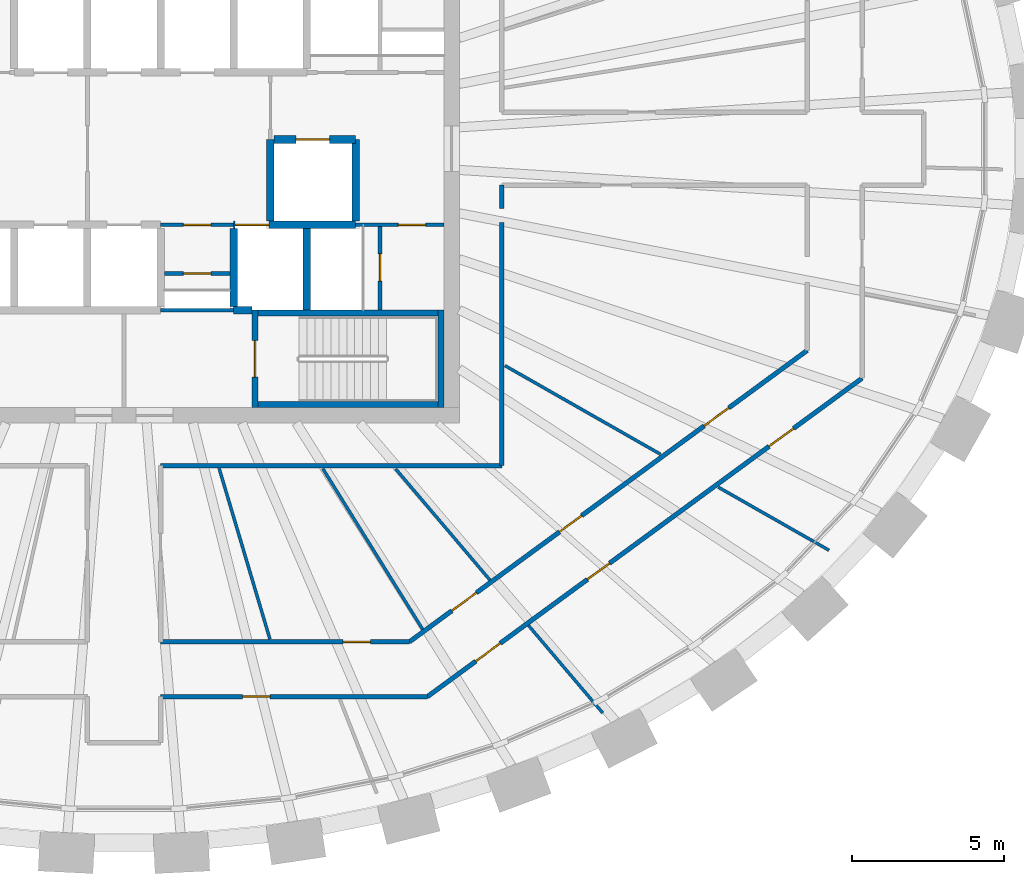
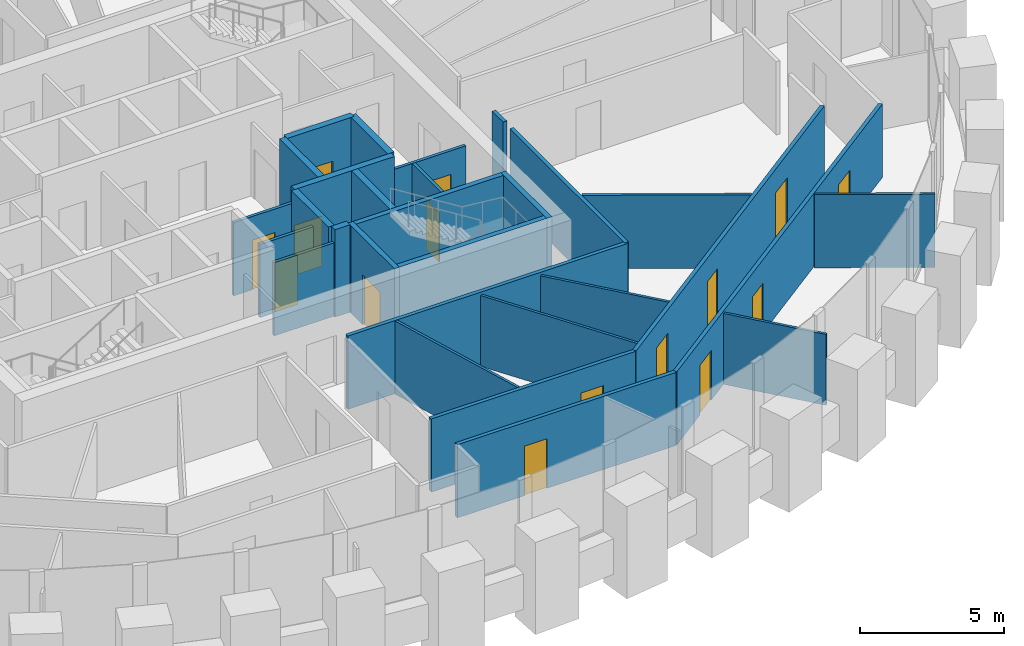
# One storey, part 8 of 12: 29 walls, 15 doors, 15 openings.
"""IFC4 building model written with IfcOpenShell, lengths in metres."""

from ifc_helpers import new_model, si_unit, direction, frame, frame_2d, origin, place, context, subcontext, project, spatial, rectangle, extrude, source, transform, mapped, material, layer, layer_set, type_object, element, fill, save


model = new_model("IFC4")

# Units and contexts
model_context = context("Model", 3, precision=1e-05, world=origin(), true_north=direction((0.0, 1.0)))
body_context = subcontext(model_context, "Body", "Model", "MODEL_VIEW")
ifc_project = project(units=[si_unit("LENGTHUNIT", "METRE"), si_unit("AREAUNIT", "SQUARE_METRE"), si_unit("VOLUMEUNIT", "CUBIC_METRE"), si_unit("PLANEANGLEUNIT", "RADIAN"), si_unit("MASSUNIT", "GRAM", prefix="KILO")], contexts=[model_context])

# Site, building, storey
site_placement = place(None, origin())
site = spatial("IfcSite", under=ifc_project, at=site_placement, CompositionType="ELEMENT")
building_placement = place(site_placement, origin())
building = spatial("IfcBuilding", under=site, at=building_placement, Name="Embergate Tower", CompositionType="ELEMENT")
storey_placement = place(building_placement, frame((0.0, 0.0, 320.800048828125)))
storey = spatial("IfcBuildingStorey", under=building, at=storey_placement, Name="L75", CompositionType="ELEMENT", Elevation=320.800048828125)

# Walls
ifc_material_1 = material(Name="Concrete C50", Category="concrete")
ifc_layer_1 = layer(ifc_material_1, 0.25)
ifc_layer_set_1 = layer_set([ifc_layer_1], Name="Concrete C50")
wall_type_1 = type_object("IfcWallType", Name="Hoistway wall reinforced concrete 250", PredefinedType="SHEAR", material=ifc_layer_set_1)
shared_shape_1 = source(origin(), body_context, "Body", "SweptSolid", [
    extrude(rectangle(XDim=2.675048828125, YDim=0.25, at=frame_2d((1.33740234375, 0.0))), origin(), (0.0, 0.0, 1.0), 3.699951171875),
])
for number, where, z_axis, x_axis, name in (
    (1, (6.0, -5.300048828125, 0.0), (0.0, 0.0, 1.0), (0.0, 1.0, 0.0), "HW-1 wall"),
    (2, (4.800048828125, -2.375, 0.0), (0.0, 0.0, 1.0), (0.0, 1.0, 0.0), "HW-1 wall"),
):
    element("IfcWall", number, at=place(storey_placement, frame(where, z_axis=z_axis, x_axis=x_axis)), inside=storey, type_object=wall_type_1, Name=name, PredefinedType="SHEAR", context=body_context, shape_type="MappedRepresentation", body=[
        mapped(shared_shape_1, transform((0.0, 0.0, 0.0))),
    ])

# Wall, opening, door
wall_1_placement = place(storey_placement, frame((7.60009765625, 0.300048828125, 0.0), z_axis=(0.0, 0.0, 1.0), x_axis=(-1.0, 0.0, 0.0)))
wall_1 = element("IfcWall", 3, at=wall_1_placement, inside=storey, type_object=wall_type_1, Name="HW-1 wall", PredefinedType="SHEAR", context=body_context, shape_type="MappedRepresentation", body=[
    mapped(shared_shape_1, transform((0.0, 0.0, 0.0))),
])
shared_shape_2 = source(origin(), body_context, "Body", "SweptSolid", [
    extrude(rectangle(XDim=1.10009765625, YDim=2.10009765625, at=frame_2d((0.550048828125, 1.050048828125))), frame((0.0, 0.135009765625, 0.0), z_axis=(0.0, -1.0, 0.0), x_axis=(1.0, 0.0, 0.0)), (0.0, 0.0, 1.0), 0.27001953125),
])
opening_1_placement = place(wall_1_placement, frame((0.85009765625, 0.0, 0.0)))
opening_1 = element("IfcOpeningElement", 4, at=opening_1_placement, cuts=wall_1, Name="Opening LD", PredefinedType="OPENING", context=body_context, shape_type="MappedRepresentation", body=[
    mapped(shared_shape_2, transform((0.0, 0.0, 0.0))),
])
ifc_material_2 = material(Name="Landing door sliding 1100")
door_type_1 = type_object("IfcDoorType", Name="Landing door sliding 1100", OperationType="SLIDING_TO_LEFT", PredefinedType="DOOR", material=ifc_material_2)
shared_shape_3 = source(origin(), body_context, "Body", "SweptSolid", [
    extrude(rectangle(XDim=1.10009765625, YDim=2.10009765625, at=frame_2d((0.550048828125, 1.050048828125))), frame((0.0, 0.02490234375, 0.0), z_axis=(0.0, -1.0, 0.0), x_axis=(1.0, 0.0, 0.0)), (0.0, 0.0, 1.0), 0.050048828125),
])
door_1_placement = place(opening_1_placement, origin())
door_1 = element("IfcDoor", 5, at=door_1_placement, inside=storey, type_object=door_type_1, Name="LD door", OperationType="SLIDING_TO_LEFT", OverallHeight=2.10009765625, OverallWidth=1.10009765625, PredefinedType="DOOR", context=body_context, shape_type="MappedRepresentation", body=[
    mapped(shared_shape_3, transform((0.0, 0.0, 0.0))),
])
fill(opening_1, door_1)

# Walls
wall_2_placement = place(storey_placement, frame((7.60009765625, -2.375, 0.0), z_axis=(0.0, 0.0, 1.0), x_axis=(0.0, 1.0, 0.0)))
element("IfcWall", 6, at=wall_2_placement, inside=storey, type_object=wall_type_1, Name="HW-1 wall", PredefinedType="SHEAR", context=body_context, shape_type="MappedRepresentation", body=[
    mapped(shared_shape_1, transform((0.0, 0.0, 0.0))),
])
ifc_layer_2 = layer(ifc_material_1, 0.199951171875)
ifc_layer_set_2 = layer_set([ifc_layer_2], Name="Concrete C50")
wall_type_2 = type_object("IfcWallType", Name="Stair enclosure wall reinforced concrete 250", PredefinedType="SHEAR", material=ifc_layer_set_2)
shared_shape_4 = source(origin(), body_context, "Body", "SweptSolid", [
    extrude(rectangle(XDim=6.300048828125, YDim=0.199951171875, at=frame_2d((3.14990234375, 0.0))), origin(), (0.0, 0.0, 1.0), 3.699951171875),
])
wall_3_placement = place(storey_placement, frame((4.199951171875, -5.39990234375, 0.0), z_axis=(0.0, 0.0, 1.0), x_axis=(1.0, 0.0, 0.0)))
element("IfcWall", 7, at=wall_3_placement, inside=storey, type_object=wall_type_2, Name="SE-1 wall", PredefinedType="SHEAR", context=body_context, shape_type="MappedRepresentation", body=[
    mapped(shared_shape_4, transform((0.0, 0.0, 0.0))),
])
shared_shape_5 = source(origin(), body_context, "Body", "SweptSolid", [
    extrude(rectangle(XDim=2.550048828125, YDim=0.25, at=frame_2d((1.27490234375, 0.0))), origin(), (0.0, 0.0, 1.0), 3.699951171875),
])
wall_4_placement = place(storey_placement, frame((3.60009765625, -2.625, 0.0), z_axis=(0.0, 0.0, 1.0), x_axis=(0.0, -1.0, 0.0)))
element("IfcWall", 8, at=wall_4_placement, inside=storey, type_object=wall_type_1, Name="HW-1 wall", PredefinedType="SHEAR", context=body_context, shape_type="MappedRepresentation", body=[
    mapped(shared_shape_5, transform((0.0, 0.0, 0.0))),
])

# Wall, opening, door
shared_shape_6 = source(origin(), body_context, "Body", "SweptSolid", [
    extrude(rectangle(XDim=3.199951171875, YDim=0.199951171875, at=frame_2d((1.60009765625, 0.0))), origin(), (0.0, 0.0, 1.0), 3.699951171875),
])
wall_5_placement = place(storey_placement, frame((4.300048828125, -5.300048828125, 0.0), z_axis=(0.0, 0.0, 1.0), x_axis=(0.0, -1.0, 0.0)))
wall_5 = element("IfcWall", 9, at=wall_5_placement, inside=storey, type_object=wall_type_2, Name="SE-1 wall", PredefinedType="SHEAR", context=body_context, shape_type="MappedRepresentation", body=[
    mapped(shared_shape_6, transform((0.0, 0.0, 0.0))),
])
shared_shape_7 = source(origin(), body_context, "Body", "SweptSolid", [
    extrude(rectangle(XDim=1.199951171875, YDim=2.10009765625, at=frame_2d((0.60009765625, 1.050048828125))), frame((0.0, 0.10986328125, 0.0), z_axis=(0.0, -1.0, 0.0), x_axis=(1.0, 0.0, 0.0)), (0.0, 0.0, 1.0), 0.219970703125),
])
opening_2_placement = place(wall_5_placement, frame((1.0, 0.0, 0.0)))
opening_2 = element("IfcOpeningElement", 10, at=opening_2_placement, cuts=wall_5, Name="Opening IF-2", PredefinedType="OPENING", context=body_context, shape_type="MappedRepresentation", body=[
    mapped(shared_shape_7, transform((0.0, 0.0, 0.0))),
])
ifc_material_3 = material(Name="Stair enclosure door 1200")
door_type_2 = type_object("IfcDoorType", Name="Stair enclosure door 1200", OperationType="SINGLE_SWING_LEFT", PredefinedType="DOOR", material=ifc_material_3)
shared_shape_8 = source(origin(), body_context, "Body", "SweptSolid", [
    extrude(rectangle(XDim=1.199951171875, YDim=2.10009765625, at=frame_2d((0.60009765625, 1.050048828125))), frame((0.0, 0.02490234375, 0.0), z_axis=(0.0, -1.0, 0.0), x_axis=(1.0, 0.0, 0.0)), (0.0, 0.0, 1.0), 0.050048828125),
])
door_2_placement = place(opening_2_placement, origin())
door_2 = element("IfcDoor", 11, at=door_2_placement, inside=storey, type_object=door_type_2, Name="IF-2 door", OperationType="SINGLE_SWING_LEFT", OverallHeight=2.10009765625, OverallWidth=1.199951171875, PredefinedType="DOOR", context=body_context, shape_type="MappedRepresentation", body=[
    mapped(shared_shape_8, transform((0.0, 0.0, 0.0))),
])
fill(opening_2, door_2)

ifc_material_4 = material(Name="Core partition blockwork 120")
ifc_layer_3 = layer(ifc_material_4, 0.1201171875)
ifc_layer_set_3 = layer_set([ifc_layer_3], Name="Core partition blockwork 120")
wall_type_3 = type_object("IfcWallType", Name="Core partition blockwork 120", PredefinedType="PARTITIONING", material=ifc_layer_set_3)
shared_shape_9 = source(origin(), body_context, "Body", "SweptSolid", [
    extrude(rectangle(XDim=2.739990234375, YDim=0.1201171875, at=frame_2d((1.3701171875, 0.0))), origin(), (0.0, 0.0, 1.0), 3.099853515625),
])
wall_6_placement = place(storey_placement, frame((8.39990234375, -5.300048828125, 0.0), z_axis=(0.0, 0.0, 1.0), x_axis=(0.0, 1.0, 0.0)))
wall_6 = element("IfcWall", 12, at=wall_6_placement, inside=storey, type_object=wall_type_3, Name="IP-3 wall", PredefinedType="PARTITIONING", context=body_context, shape_type="MappedRepresentation", body=[
    mapped(shared_shape_9, transform((0.0, 0.0, 0.0))),
])
shared_shape_10 = source(origin(), body_context, "Body", "SweptSolid", [
    extrude(rectangle(XDim=0.89990234375, YDim=2.10009765625, at=frame_2d((0.449951171875, 1.050048828125))), frame((0.0, 0.070068359375, 0.0), z_axis=(0.0, -1.0, 0.0), x_axis=(1.0, 0.0, 0.0)), (0.0, 0.0, 1.0), 0.14013671875),
])
opening_3_placement = place(wall_6_placement, frame((0.949951171875, 0.0, 0.0)))
opening_3 = element("IfcOpeningElement", 13, at=opening_3_placement, cuts=wall_6, Name="Opening ID-1", PredefinedType="OPENING", context=body_context, shape_type="MappedRepresentation", body=[
    mapped(shared_shape_10, transform((0.0, 0.0, 0.0))),
])
ifc_material_5 = material(Name="Interior door 900")
door_type_3 = type_object("IfcDoorType", Name="Interior door 900", OperationType="SINGLE_SWING_LEFT", PredefinedType="DOOR", material=ifc_material_5)
shared_shape_11 = source(origin(), body_context, "Body", "SweptSolid", [
    extrude(rectangle(XDim=0.89990234375, YDim=2.10009765625, at=frame_2d((0.449951171875, 1.050048828125))), frame((0.0, 0.02490234375, 0.0), z_axis=(0.0, -1.0, 0.0), x_axis=(1.0, 0.0, 0.0)), (0.0, 0.0, 1.0), 0.050048828125),
])
door_3_placement = place(opening_3_placement, origin())
door_3 = element("IfcDoor", 14, at=door_3_placement, inside=storey, type_object=door_type_3, Name="ID-1 door", OperationType="SINGLE_SWING_LEFT", OverallHeight=2.10009765625, OverallWidth=0.89990234375, PredefinedType="DOOR", context=body_context, shape_type="MappedRepresentation", body=[
    mapped(shared_shape_11, transform((0.0, 0.0, 0.0))),
])
fill(opening_3, door_3)

# Walls
shared_shape_12 = source(origin(), body_context, "Body", "SweptSolid", [
    extrude(rectangle(XDim=0.599853515625, YDim=0.25, at=frame_2d((0.2998046875, 0.0))), origin(), (0.0, 0.0, 1.0), 3.699951171875),
])
wall_7_placement = place(storey_placement, frame((3.60009765625, -5.300048828125, 0.0), z_axis=(0.0, 0.0, 1.0), x_axis=(1.0, 0.0, 0.0)))
element("IfcWall", 15, at=wall_7_placement, inside=storey, type_object=wall_type_1, Name="HW-1 wall", PredefinedType="SHEAR", context=body_context, shape_type="MappedRepresentation", body=[
    mapped(shared_shape_12, transform((0.0, 0.0, 0.0))),
])
ifc_material_6 = material(Name="Corridor wall dry-lined 150")
ifc_layer_4 = layer(ifc_material_6, 0.14990234375)
ifc_layer_set_4 = layer_set([ifc_layer_4], Name="Corridor wall dry-lined 150")
wall_type_4 = type_object("IfcWallType", Name="Corridor wall dry-lined 150", PredefinedType="PARTITIONING", material=ifc_layer_set_4)
shared_shape_13 = source(origin(), body_context, "Body", "SweptSolid", [
    extrude(rectangle(XDim=11.199951171875, YDim=0.14990234375, at=frame_2d((5.60009765625, 0.0))), origin(), (0.0, 0.0, 1.0), 3.099853515625),
])
wall_8_placement = place(storey_placement, frame((12.39990234375, -10.39990234375, 0.0), z_axis=(0.0, 0.0, 1.0), x_axis=(-1.0, 0.0, 0.0)))
element("IfcWall", 16, at=wall_8_placement, inside=storey, type_object=wall_type_4, Name="IP-2 wall", PredefinedType="PARTITIONING", context=body_context, shape_type="MappedRepresentation", body=[
    mapped(shared_shape_13, transform((0.0, 0.0, 0.0))),
])

# Wall, opening, door
shared_shape_14 = source(origin(), body_context, "Body", "SweptSolid", [
    extrude(rectangle(XDim=2.89990234375, YDim=0.1201171875, at=frame_2d((1.449951171875, 0.0))), origin(), (0.0, 0.0, 1.0), 3.099853515625),
])
wall_9_placement = place(storey_placement, frame((10.5, -2.5, 0.0), z_axis=(0.0, 0.0, 1.0), x_axis=(-1.0, 0.0, 0.0)))
wall_9 = element("IfcWall", 17, at=wall_9_placement, inside=storey, type_object=wall_type_3, Name="IP-3 wall", PredefinedType="PARTITIONING", context=body_context, shape_type="MappedRepresentation", body=[
    mapped(shared_shape_14, transform((0.0, 0.0, 0.0))),
])
opening_4_placement = place(wall_9_placement, frame((0.60009765625, 0.0, 0.0)))
opening_4 = element("IfcOpeningElement", 18, at=opening_4_placement, cuts=wall_9, Name="Opening ID-1", PredefinedType="OPENING", context=body_context, shape_type="MappedRepresentation", body=[
    mapped(shared_shape_10, transform((0.0, 0.0, 0.0))),
])
door_4_placement = place(opening_4_placement, origin())
door_4 = element("IfcDoor", 19, at=door_4_placement, inside=storey, type_object=door_type_3, Name="ID-1 door", OperationType="SINGLE_SWING_LEFT", OverallHeight=2.10009765625, OverallWidth=0.89990234375, PredefinedType="DOOR", context=body_context, shape_type="MappedRepresentation", body=[
    mapped(shared_shape_11, transform((0.0, 0.0, 0.0))),
])
fill(opening_4, door_4)

shared_shape_15 = source(origin(), body_context, "Body", "SweptSolid", [
    extrude(rectangle(XDim=4.0, YDim=0.25, at=frame_2d((2.0, 0.0))), origin(), (0.0, 0.0, 1.0), 3.699951171875),
])
wall_10_placement = place(storey_placement, frame((7.60009765625, -2.5, 0.0), z_axis=(0.0, 0.0, 1.0), x_axis=(-1.0, 0.0, 0.0)))
wall_10 = element("IfcWall", 20, at=wall_10_placement, inside=storey, type_object=wall_type_1, Name="HW-1 wall", PredefinedType="SHEAR", context=body_context, shape_type="MappedRepresentation", body=[
    mapped(shared_shape_15, transform((0.0, 0.0, 0.0))),
])
opening_5_placement = place(wall_10_placement, frame((2.85009765625, 0.0, 0.0)))
opening_5 = element("IfcOpeningElement", 21, at=opening_5_placement, cuts=wall_10, Name="Opening LD", PredefinedType="OPENING", context=body_context, shape_type="MappedRepresentation", body=[
    mapped(shared_shape_2, transform((0.0, 0.0, 0.0))),
])
door_5_placement = place(opening_5_placement, origin())
door_5 = element("IfcDoor", 22, at=door_5_placement, inside=storey, type_object=door_type_1, Name="LD door", OperationType="SLIDING_TO_RIGHT", OverallHeight=2.10009765625, OverallWidth=1.10009765625, PredefinedType="DOOR", context=body_context, shape_type="MappedRepresentation", body=[
    mapped(shared_shape_3, transform((0.0, 0.0, 0.0))),
])
fill(opening_5, door_5)

shared_shape_16 = source(origin(), body_context, "Body", "SweptSolid", [
    extrude(rectangle(XDim=2.400146484375, YDim=0.1201171875, at=frame_2d((1.2001953125, 0.0))), origin(), (0.0, 0.0, 1.0), 3.099853515625),
])
wall_11_placement = place(storey_placement, frame((1.199951171875, -2.5, 0.0), z_axis=(0.0, 0.0, 1.0), x_axis=(1.0, 0.0, 0.0)))
wall_11 = element("IfcWall", 23, at=wall_11_placement, inside=storey, type_object=wall_type_3, Name="IP-3 wall", PredefinedType="PARTITIONING", context=body_context, shape_type="MappedRepresentation", body=[
    mapped(shared_shape_16, transform((0.0, 0.0, 0.0))),
])
opening_6_placement = place(wall_11_placement, frame((0.75, 0.0, 0.0)))
opening_6 = element("IfcOpeningElement", 24, at=opening_6_placement, cuts=wall_11, Name="Opening ID-1", PredefinedType="OPENING", context=body_context, shape_type="MappedRepresentation", body=[
    mapped(shared_shape_10, transform((0.0, 0.0, 0.0))),
])
door_6_placement = place(opening_6_placement, origin())
door_6 = element("IfcDoor", 25, at=door_6_placement, inside=storey, type_object=door_type_3, Name="ID-1 door", OperationType="SINGLE_SWING_RIGHT", OverallHeight=2.10009765625, OverallWidth=0.89990234375, PredefinedType="DOOR", context=body_context, shape_type="MappedRepresentation", body=[
    mapped(shared_shape_11, transform((0.0, 0.0, 0.0))),
])
fill(opening_6, door_6)

# Wall
wall_12_placement = place(storey_placement, frame((3.60009765625, -5.300048828125, 0.0), z_axis=(0.0, 0.0, 1.0), x_axis=(-1.0, 0.0, 0.0)))
element("IfcWall", 26, at=wall_12_placement, inside=storey, type_object=wall_type_3, Name="IP-3 wall", PredefinedType="PARTITIONING", context=body_context, shape_type="MappedRepresentation", body=[
    mapped(shared_shape_16, transform((0.0, 0.0, 0.0))),
])

# Wall, opening, door
shared_shape_17 = source(origin(), body_context, "Body", "SweptSolid", [
    extrude(rectangle(XDim=2.150146484375, YDim=0.1201171875, at=frame_2d((1.0751953125, 0.0))), origin(), (0.0, 0.0, 1.0), 3.099853515625),
])
wall_13_placement = place(storey_placement, frame((3.47509765625, -4.095947265625, 0.0), z_axis=(0.0, 0.0, 1.0), x_axis=(-1.0, 0.0, 0.0)))
wall_13 = element("IfcWall", 27, at=wall_13_placement, inside=storey, type_object=wall_type_3, Name="IP-3 wall", PredefinedType="PARTITIONING", context=body_context, shape_type="MappedRepresentation", body=[
    mapped(shared_shape_17, transform((0.0, 0.0, 0.0))),
])
opening_7_placement = place(wall_13_placement, frame((0.625, 0.0, 0.0)))
opening_7 = element("IfcOpeningElement", 28, at=opening_7_placement, cuts=wall_13, Name="Opening ID-1", PredefinedType="OPENING", context=body_context, shape_type="MappedRepresentation", body=[
    mapped(shared_shape_10, transform((0.0, 0.0, 0.0))),
])
door_7_placement = place(opening_7_placement, origin())
door_7 = element("IfcDoor", 29, at=door_7_placement, inside=storey, type_object=door_type_3, Name="ID-1 door", OperationType="SINGLE_SWING_RIGHT", OverallHeight=2.10009765625, OverallWidth=0.89990234375, PredefinedType="DOOR", context=body_context, shape_type="MappedRepresentation", body=[
    mapped(shared_shape_11, transform((0.0, 0.0, 0.0))),
])
fill(opening_7, door_7)

# Walls
shared_shape_18 = source(origin(), body_context, "Body", "SweptSolid", [
    extrude(rectangle(XDim=6.298095703125, YDim=0.199951171875, at=frame_2d((3.14892578125, 0.0))), origin(), (0.0, 0.0, 1.0), 3.699951171875),
])
wall_14_placement = place(storey_placement, frame((4.201904296875, -8.39990234375, 0.0), z_axis=(0.0, 0.0, 1.0), x_axis=(1.0, 0.0, 0.0)))
element("IfcWall", 30, at=wall_14_placement, inside=storey, type_object=wall_type_2, Name="SE-1 wall", PredefinedType="SHEAR", context=body_context, shape_type="MappedRepresentation", body=[
    mapped(shared_shape_18, transform((0.0, 0.0, 0.0))),
])
shared_shape_19 = source(origin(), body_context, "Body", "SweptSolid", [
    extrude(rectangle(XDim=3.197998046875, YDim=0.199951171875, at=frame_2d((1.59912109375, 0.0))), origin(), (0.0, 0.0, 1.0), 3.699951171875),
])
wall_15_placement = place(storey_placement, frame((10.39990234375, -8.5, 0.0), z_axis=(0.0, 0.0, 1.0), x_axis=(0.0, 1.0, 0.0)))
element("IfcWall", 31, at=wall_15_placement, inside=storey, type_object=wall_type_2, Name="SE-1 wall", PredefinedType="SHEAR", context=body_context, shape_type="MappedRepresentation", body=[
    mapped(shared_shape_19, transform((0.0, 0.0, 0.0))),
])
ifc_material_7 = material(Name="Partition dry-lined 100")
ifc_layer_5 = layer(ifc_material_7, 0.10009765625)
ifc_layer_set_5 = layer_set([ifc_layer_5], Name="Partition dry-lined 100")
wall_type_5 = type_object("IfcWallType", Name="Partition dry-lined 100", PredefinedType="PARTITIONING", material=ifc_layer_set_5)
shared_shape_20 = source(origin(), body_context, "Body", "SweptSolid", [
    extrude(rectangle(XDim=3.768798828125, YDim=0.10009765625, at=frame_2d((1.88427734375, 0.0))), origin(), (0.0, 0.0, 1.0), 3.0),
])
wall_16_placement = place(storey_placement, frame((13.27099609375, -15.64501953125, 0.0), z_axis=(0.0, 0.0, 1.0), x_axis=(0.646888419483, -0.762584665948, 0.0)))
element("IfcWall", 32, at=wall_16_placement, inside=storey, type_object=wall_type_5, Name="IP-1 wall", PredefinedType="PARTITIONING", context=body_context, shape_type="MappedRepresentation", body=[
    mapped(shared_shape_20, transform((0.0, 0.0, 0.0))),
])
shared_shape_21 = source(origin(), body_context, "Body", "SweptSolid", [
    extrude(rectangle(XDim=4.78271484375, YDim=0.10009765625, at=frame_2d((2.391357421875, 0.0))), origin(), (0.0, 0.0, 1.0), 3.0),
])
wall_17_placement = place(storey_placement, frame((8.9130859375, -10.507080078125, 0.0), z_axis=(0.0, 0.0, 1.0), x_axis=(0.646708493857, -0.762737257496, 0.0)))
element("IfcWall", 33, at=wall_17_placement, inside=storey, type_object=wall_type_5, Name="IP-1 wall", PredefinedType="PARTITIONING", context=body_context, shape_type="MappedRepresentation", body=[
    mapped(shared_shape_21, transform((0.0, 0.0, 0.0))),
])
shared_shape_22 = source(origin(), body_context, "Body", "SweptSolid", [
    extrude(rectangle(XDim=6.205078125, YDim=0.10009765625, at=frame_2d((3.1025390625, 0.0))), origin(), (0.0, 0.0, 1.0), 3.0),
])
wall_18_placement = place(storey_placement, frame((6.52392578125, -10.5009765625, 0.0), z_axis=(0.0, 0.0, 1.0), x_axis=(0.527655672013, -0.849458352006, 0.0)))
element("IfcWall", 34, at=wall_18_placement, inside=storey, type_object=wall_type_5, Name="IP-1 wall", PredefinedType="PARTITIONING", context=body_context, shape_type="MappedRepresentation", body=[
    mapped(shared_shape_22, transform((0.0, 0.0, 0.0))),
])

# Wall, openings, doors
shared_shape_23 = source(origin(), body_context, "Body", "SweptSolid", [
    extrude(rectangle(XDim=17.682373046875, YDim=0.14990234375, at=frame_2d((8.84130859375, 0.0))), origin(), (0.0, 0.0, 1.0), 3.099853515625),
])
wall_19_placement = place(storey_placement, frame((24.217041015625, -7.532958984375, 0.0), z_axis=(0.0, 0.0, 1.0), x_axis=(-0.806686271558, -0.590979914447, 0.0)))
wall_19 = element("IfcWall", 35, at=wall_19_placement, inside=storey, type_object=wall_type_4, Name="IP-2 wall", PredefinedType="PARTITIONING", context=body_context, shape_type="MappedRepresentation", body=[
    mapped(shared_shape_23, transform((0.0, 0.0, 0.0))),
])
shared_shape_24 = source(origin(), body_context, "Body", "SweptSolid", [
    extrude(rectangle(XDim=1.0, YDim=2.10009765625, at=frame_2d((0.5, 1.050048828125))), frame((0.0, 0.0849609375, 0.0), z_axis=(0.0, -1.0, 0.0), x_axis=(1.0, 0.0, 0.0)), (0.0, 0.0, 1.0), 0.169921875),
])
opening_8_placement = place(wall_19_placement, frame((14.714599609375, 0.0, 0.0)))
opening_8 = element("IfcOpeningElement", 36, at=opening_8_placement, cuts=wall_19, Name="Opening ID-2", PredefinedType="OPENING", context=body_context, shape_type="MappedRepresentation", body=[
    mapped(shared_shape_24, transform((0.0, 0.0, 0.0))),
])
shared_shape_25 = source(origin(), body_context, "Body", "SweptSolid", [
    extrude(rectangle(XDim=0.89990234375, YDim=2.10009765625, at=frame_2d((0.449951171875, 1.050048828125))), frame((0.0, 0.0849609375, 0.0), z_axis=(0.0, -1.0, 0.0), x_axis=(1.0, 0.0, 0.0)), (0.0, 0.0, 1.0), 0.169921875),
])
opening_9_placement = place(wall_19_placement, frame((10.27099609375, 0.0, 0.0)))
opening_9 = element("IfcOpeningElement", 37, at=opening_9_placement, cuts=wall_19, Name="Opening IF-1c", PredefinedType="OPENING", context=body_context, shape_type="MappedRepresentation", body=[
    mapped(shared_shape_25, transform((0.0, 0.0, 0.0))),
])
opening_10_placement = place(wall_19_placement, frame((2.786376953125, 0.0, 0.0)))
opening_10 = element("IfcOpeningElement", 38, at=opening_10_placement, cuts=wall_19, Name="Opening ID-2", PredefinedType="OPENING", context=body_context, shape_type="MappedRepresentation", body=[
    mapped(shared_shape_24, transform((0.0, 0.0, 0.0))),
])
ifc_material_8 = material(Name="Escape fire door 900")
door_type_4 = type_object("IfcDoorType", Name="Escape fire door 900", OperationType="SINGLE_SWING_LEFT", PredefinedType="DOOR", material=ifc_material_8)
door_8_placement = place(opening_9_placement, origin())
door_8 = element("IfcDoor", 39, at=door_8_placement, inside=storey, type_object=door_type_4, Name="IF-1 door", OperationType="SINGLE_SWING_LEFT", OverallHeight=2.10009765625, OverallWidth=0.89990234375, PredefinedType="DOOR", context=body_context, shape_type="MappedRepresentation", body=[
    mapped(shared_shape_11, transform((0.0, 0.0, 0.0))),
])
fill(opening_9, door_8)
ifc_material_9 = material(Name="Interior door 1000")
door_type_5 = type_object("IfcDoorType", Name="Interior door 1000", OperationType="SINGLE_SWING_LEFT", PredefinedType="DOOR", material=ifc_material_9)
shared_shape_26 = source(origin(), body_context, "Body", "SweptSolid", [
    extrude(rectangle(XDim=1.0, YDim=2.10009765625, at=frame_2d((0.5, 1.050048828125))), frame((0.0, 0.02490234375, 0.0), z_axis=(0.0, -1.0, 0.0), x_axis=(1.0, 0.0, 0.0)), (0.0, 0.0, 1.0), 0.050048828125),
])
door_9_placement = place(opening_8_placement, origin())
door_9 = element("IfcDoor", 40, at=door_9_placement, inside=storey, type_object=door_type_5, Name="ID-2 door", OperationType="SINGLE_SWING_LEFT", OverallHeight=2.10009765625, OverallWidth=1.0, PredefinedType="DOOR", context=body_context, shape_type="MappedRepresentation", body=[
    mapped(shared_shape_26, transform((0.0, 0.0, 0.0))),
])
fill(opening_8, door_9)
door_10_placement = place(opening_10_placement, origin())
door_10 = element("IfcDoor", 41, at=door_10_placement, inside=storey, type_object=door_type_5, Name="ID-2 door", OperationType="SINGLE_SWING_RIGHT", OverallHeight=2.10009765625, OverallWidth=1.0, PredefinedType="DOOR", context=body_context, shape_type="MappedRepresentation", body=[
    mapped(shared_shape_26, transform((0.0, 0.0, 0.0))),
])
fill(opening_10, door_10)

shared_shape_27 = source(origin(), body_context, "Body", "SweptSolid", [
    extrude(rectangle(XDim=16.18115234375, YDim=0.14990234375, at=frame_2d((8.090576171875, 0.0))), origin(), (0.0, 0.0, 1.0), 3.099853515625),
])
wall_20_placement = place(storey_placement, frame((22.4169921875, -6.6201171875, 0.0), z_axis=(0.0, 0.0, 1.0), x_axis=(-0.80667592694, -0.590994034569, 0.0)))
wall_20 = element("IfcWall", 42, at=wall_20_placement, inside=storey, type_object=wall_type_4, Name="IP-2 wall", PredefinedType="PARTITIONING", context=body_context, shape_type="MappedRepresentation", body=[
    mapped(shared_shape_27, transform((0.0, 0.0, 0.0))),
])
opening_11_placement = place(wall_20_placement, frame((13.4560546875, 0.0, 0.0)))
opening_11 = element("IfcOpeningElement", 43, at=opening_11_placement, cuts=wall_20, Name="Opening ID-2", PredefinedType="OPENING", context=body_context, shape_type="MappedRepresentation", body=[
    mapped(shared_shape_24, transform((0.0, 0.0, 0.0))),
])
opening_12_placement = place(wall_20_placement, frame((9.174560546875, 0.0, 0.0)))
opening_12 = element("IfcOpeningElement", 44, at=opening_12_placement, cuts=wall_20, Name="Opening IF-1c", PredefinedType="OPENING", context=body_context, shape_type="MappedRepresentation", body=[
    mapped(shared_shape_25, transform((0.0, 0.0, 0.0))),
])
opening_13_placement = place(wall_20_placement, frame((3.193115234375, 0.0, 0.0)))
opening_13 = element("IfcOpeningElement", 45, at=opening_13_placement, cuts=wall_20, Name="Opening ID-2", PredefinedType="OPENING", context=body_context, shape_type="MappedRepresentation", body=[
    mapped(shared_shape_24, transform((0.0, 0.0, 0.0))),
])
door_11_placement = place(opening_12_placement, origin())
door_11 = element("IfcDoor", 46, at=door_11_placement, inside=storey, type_object=door_type_4, Name="IF-1 door", OperationType="SINGLE_SWING_RIGHT", OverallHeight=2.10009765625, OverallWidth=0.89990234375, PredefinedType="DOOR", context=body_context, shape_type="MappedRepresentation", body=[
    mapped(shared_shape_11, transform((0.0, 0.0, 0.0))),
])
fill(opening_12, door_11)
door_12_placement = place(opening_11_placement, origin())
door_12 = element("IfcDoor", 47, at=door_12_placement, inside=storey, type_object=door_type_5, Name="ID-2 door", OperationType="SINGLE_SWING_LEFT", OverallHeight=2.10009765625, OverallWidth=1.0, PredefinedType="DOOR", context=body_context, shape_type="MappedRepresentation", body=[
    mapped(shared_shape_26, transform((0.0, 0.0, 0.0))),
])
fill(opening_11, door_12)
door_13_placement = place(opening_13_placement, origin())
door_13 = element("IfcDoor", 48, at=door_13_placement, inside=storey, type_object=door_type_5, Name="ID-2 door", OperationType="SINGLE_SWING_RIGHT", OverallHeight=2.10009765625, OverallWidth=1.0, PredefinedType="DOOR", context=body_context, shape_type="MappedRepresentation", body=[
    mapped(shared_shape_26, transform((0.0, 0.0, 0.0))),
])
fill(opening_13, door_13)

# Wall, opening, door
shared_shape_28 = source(origin(), body_context, "Body", "SweptSolid", [
    extrude(rectangle(XDim=8.7529296875, YDim=0.14990234375, at=frame_2d((4.37646484375, 0.0))), origin(), (0.0, 0.0, 1.0), 3.099853515625),
])
wall_21_placement = place(storey_placement, frame((9.952880859375, -17.98291015625, 0.0), z_axis=(0.0, 0.0, 1.0), x_axis=(-1.0, 0.0, 0.0)))
wall_21 = element("IfcWall", 49, at=wall_21_placement, inside=storey, type_object=wall_type_4, Name="IP-2 wall", PredefinedType="PARTITIONING", context=body_context, shape_type="MappedRepresentation", body=[
    mapped(shared_shape_28, transform((0.0, 0.0, 0.0))),
])
opening_14_placement = place(wall_21_placement, frame((5.16064453125, 0.0, 0.0)))
opening_14 = element("IfcOpeningElement", 50, at=opening_14_placement, cuts=wall_21, Name="Opening IF-1c", PredefinedType="OPENING", context=body_context, shape_type="MappedRepresentation", body=[
    mapped(shared_shape_25, transform((0.0, 0.0, 0.0))),
])
door_14_placement = place(opening_14_placement, origin())
door_14 = element("IfcDoor", 51, at=door_14_placement, inside=storey, type_object=door_type_4, Name="IF-1 door", OperationType="SINGLE_SWING_LEFT", OverallHeight=2.10009765625, OverallWidth=0.89990234375, PredefinedType="DOOR", context=body_context, shape_type="MappedRepresentation", body=[
    mapped(shared_shape_11, transform((0.0, 0.0, 0.0))),
])
fill(opening_14, door_14)

shared_shape_29 = source(origin(), body_context, "Body", "SweptSolid", [
    extrude(rectangle(XDim=8.1640625, YDim=0.14990234375, at=frame_2d((4.08203125, 0.0))), origin(), (0.0, 0.0, 1.0), 3.099853515625),
])
wall_22_placement = place(storey_placement, frame((1.199951171875, -16.18310546875, 0.0), z_axis=(0.0, 0.0, 1.0), x_axis=(1.0, 0.0, 0.0)))
wall_22 = element("IfcWall", 52, at=wall_22_placement, inside=storey, type_object=wall_type_4, Name="IP-2 wall", PredefinedType="PARTITIONING", context=body_context, shape_type="MappedRepresentation", body=[
    mapped(shared_shape_29, transform((0.0, 0.0, 0.0))),
])
opening_15_placement = place(wall_22_placement, frame((5.987060546875, 0.0, 0.0)))
opening_15 = element("IfcOpeningElement", 53, at=opening_15_placement, cuts=wall_22, Name="Opening IF-1c", PredefinedType="OPENING", context=body_context, shape_type="MappedRepresentation", body=[
    mapped(shared_shape_25, transform((0.0, 0.0, 0.0))),
])
door_15_placement = place(opening_15_placement, origin())
door_15 = element("IfcDoor", 54, at=door_15_placement, inside=storey, type_object=door_type_4, Name="IF-1 door", OperationType="SINGLE_SWING_LEFT", OverallHeight=2.10009765625, OverallWidth=0.89990234375, PredefinedType="DOOR", context=body_context, shape_type="MappedRepresentation", body=[
    mapped(shared_shape_11, transform((0.0, 0.0, 0.0))),
])
fill(opening_15, door_15)

# Walls
shared_shape_30 = source(origin(), body_context, "Body", "SweptSolid", [
    extrude(rectangle(XDim=7.972900390625, YDim=0.14990234375, at=frame_2d((3.986328125, 0.0))), origin(), (0.0, 0.0, 1.0), 3.099853515625),
])
wall_23_placement = place(storey_placement, frame((12.39990234375, -2.427001953125, 0.0), z_axis=(0.0, 0.0, 1.0), x_axis=(0.0, -1.0, 0.0)))
element("IfcWall", 55, at=wall_23_placement, inside=storey, type_object=wall_type_4, Name="IP-2 wall", PredefinedType="PARTITIONING", context=body_context, shape_type="MappedRepresentation", body=[
    mapped(shared_shape_30, transform((0.0, 0.0, 0.0))),
])
shared_shape_31 = source(origin(), body_context, "Body", "SweptSolid", [
    extrude(rectangle(XDim=0.758056640625, YDim=0.14990234375, at=frame_2d((0.37890625, 0.0))), origin(), (0.0, 0.0, 1.0), 3.099853515625),
])
wall_24_placement = place(storey_placement, frame((12.39990234375, -1.199951171875, 0.0), z_axis=(0.0, 0.0, 1.0), x_axis=(0.0, -1.0, 0.0)))
element("IfcWall", 56, at=wall_24_placement, inside=storey, type_object=wall_type_4, Name="IP-2 wall", PredefinedType="PARTITIONING", context=body_context, shape_type="MappedRepresentation", body=[
    mapped(shared_shape_31, transform((0.0, 0.0, 0.0))),
])
shared_shape_32 = source(origin(), body_context, "Body", "SweptSolid", [
    extrude(rectangle(XDim=5.84765625, YDim=0.10009765625, at=frame_2d((2.923828125, 0.0))), origin(), (0.0, 0.0, 1.0), 3.099853515625),
])
wall_25_placement = place(storey_placement, frame((3.12109375, -10.489013671875, 0.0), z_axis=(0.0, 0.0, 1.0), x_axis=(0.285071868511, -0.958506144886, 0.0)))
element("IfcWall", 57, at=wall_25_placement, inside=storey, type_object=wall_type_5, Name="IP-1 wall", PredefinedType="PARTITIONING", context=body_context, shape_type="MappedRepresentation", body=[
    mapped(shared_shape_32, transform((0.0, 0.0, 0.0))),
])
shared_shape_33 = source(origin(), body_context, "Body", "SweptSolid", [
    extrude(rectangle(XDim=4.180908203125, YDim=0.10009765625, at=frame_2d((2.09033203125, 0.0))), origin(), (0.0, 0.0, 1.0), 3.099853515625),
])
wall_26_placement = place(storey_placement, frame((19.498046875, -11.10791015625, 0.0), z_axis=(0.0, 0.0, 1.0), x_axis=(0.86895733907, -0.494887000109, 0.0)))
element("IfcWall", 58, at=wall_26_placement, inside=storey, type_object=wall_type_5, Name="IP-1 wall", PredefinedType="PARTITIONING", context=body_context, shape_type="MappedRepresentation", body=[
    mapped(shared_shape_33, transform((0.0, 0.0, 0.0))),
])
shared_shape_34 = source(origin(), body_context, "Body", "SweptSolid", [
    extrude(rectangle(XDim=5.873046875, YDim=0.10009765625, at=frame_2d((2.9365234375, 0.0))), origin(), (0.0, 0.0, 1.0), 3.099853515625),
])
wall_27_placement = place(storey_placement, frame((12.5, -7.12109375, 0.0), z_axis=(0.0, 0.0, 1.0), x_axis=(0.868904936454, -0.494979000974, 0.0)))
element("IfcWall", 59, at=wall_27_placement, inside=storey, type_object=wall_type_5, Name="IP-1 wall", PredefinedType="PARTITIONING", context=body_context, shape_type="MappedRepresentation", body=[
    mapped(shared_shape_34, transform((0.0, 0.0, 0.0))),
])

save(model, "model.ifc")
